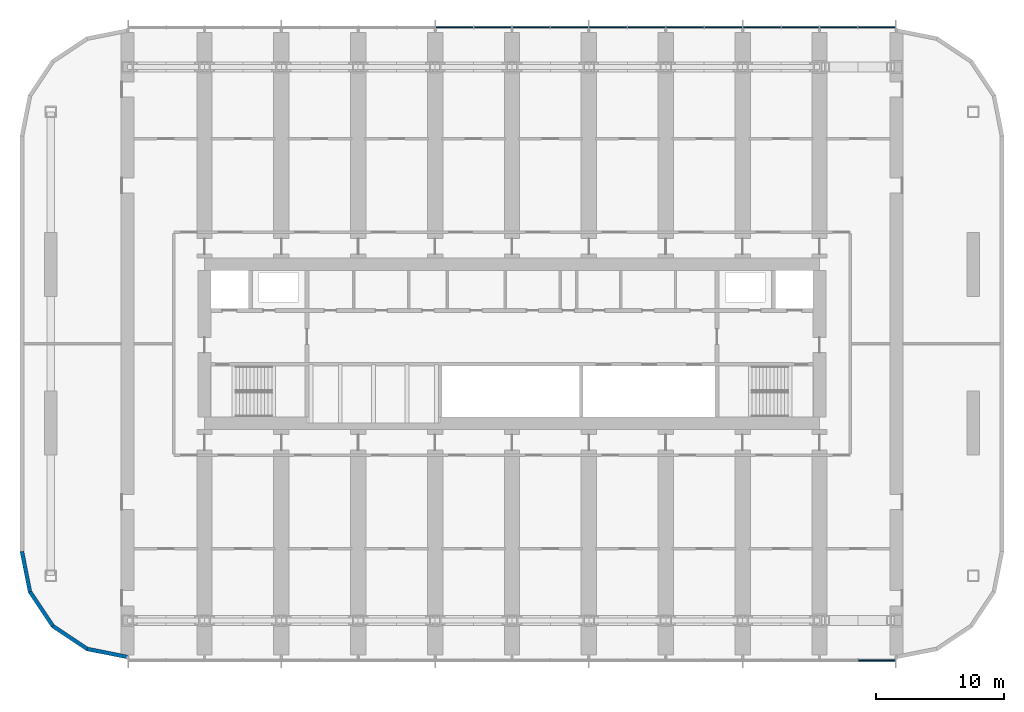
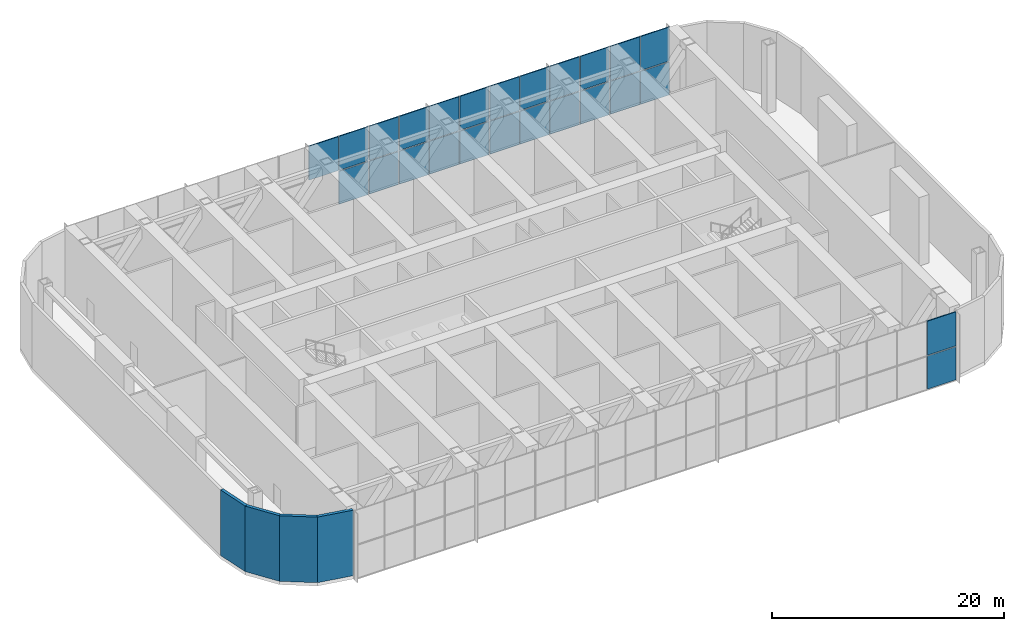
# One storey, part 9 of 24: 25 plates, 4 walls, 2 elements without a shape of their own.
"""IFC4 building model written with IfcOpenShell, lengths in metres."""

from ifc_helpers import new_model, si_unit, direction, frame, origin, origin_2d, place, context, subcontext, project, spatial, polyline, rectangle, outline, extrude, material, layer, layer_set, type_object, element, aggregate, save


model = new_model("IFC4")

# Units and contexts
model_context = context("Model", 3, precision=1e-05, world=origin(), true_north=direction((0.0, 1.0)))
body_context = subcontext(model_context, "Body", "Model", "MODEL_VIEW")
ifc_project = project(units=[si_unit("LENGTHUNIT", "METRE"), si_unit("AREAUNIT", "SQUARE_METRE"), si_unit("VOLUMEUNIT", "CUBIC_METRE"), si_unit("PLANEANGLEUNIT", "RADIAN"), si_unit("MASSUNIT", "GRAM", prefix="KILO")], contexts=[model_context])

# Site, building, storey
site_placement = place(None, origin())
site = spatial("IfcSite", under=ifc_project, at=site_placement, CompositionType="ELEMENT")
building_placement = place(site_placement, origin())
building = spatial("IfcBuilding", under=site, at=building_placement, Name="Orbita Commons", CompositionType="ELEMENT")
storey_placement = place(building_placement, frame((0.0, 0.0, 68.949951171875)))
storey = spatial("IfcBuildingStorey", under=building, at=storey_placement, Name="L17", CompositionType="ELEMENT", Elevation=68.949951171875)

# Curtain wall, plates
ifc_material_1 = material(Name="Anodised aluminium frame, pale silver", Category="aluminium")
curtain_wall_type = type_object("IfcCurtainWallType", Name="Louvred curtain wall CW-V", PredefinedType="NOTDEFINED", material=ifc_material_1)
curtain_wall_1_placement = place(storey_placement, origin())
curtain_wall_1 = element("IfcCurtainWall", 1, at=curtain_wall_1_placement, inside=storey, type_object=curtain_wall_type, Name="Curtain wall south L17", PredefinedType="NOTDEFINED")
ifc_material_2 = material(Name="Anodised aluminium louvre", Category="aluminium")
ifc_layer_1 = layer(ifc_material_2, 0.10009765625)
ifc_layer_set_1 = layer_set([ifc_layer_1], Name="Anodised aluminium louvre")
plate_type = type_object("IfcPlateType", Name="Aluminium louvre panel 100", PredefinedType="CURTAIN_PANEL", material=ifc_layer_set_1)
plate_1_placement = place(storey_placement, frame((70.47998046875, 7.2900390625, -0.25), z_axis=(0.0, 0.0, 1.0), x_axis=(1.0, 0.0, 0.0)))
plate_1 = element("IfcPlate", 2, at=plate_1_placement, type_object=plate_type, Name="Panel 20.1 CW-L17-S", PredefinedType="CURTAIN_PANEL", context=body_context, shape_type="SweptSolid", body=[
    extrude(rectangle(XDim=2.8798828125, YDim=0.10009765625, at=origin_2d()), origin(), (0.0, 0.0, 1.0), 3.47509765625),
])
plate_2_placement = place(storey_placement, frame((70.47998046875, 7.2900390625, 3.3251953125), z_axis=(0.0, 0.0, 1.0), x_axis=(1.0, 0.0, 0.0)))
plate_2 = element("IfcPlate", 3, at=plate_2_placement, type_object=plate_type, Name="Panel 20.2 CW-L17-S", PredefinedType="CURTAIN_PANEL", context=body_context, shape_type="SweptSolid", body=[
    extrude(rectangle(XDim=2.8798828125, YDim=0.10009765625, at=origin_2d()), origin(), (0.0, 0.0, 1.0), 3.574951171875),
])
aggregate(curtain_wall_1, [plate_1, plate_2])

curtain_wall_2_placement = place(storey_placement, origin())
curtain_wall_2 = element("IfcCurtainWall", 4, at=curtain_wall_2_placement, inside=storey, type_object=curtain_wall_type, Name="Curtain wall north L17", PredefinedType="NOTDEFINED")
plate_3_placement = place(storey_placement, frame((70.47998046875, 56.7099609375, -0.25), z_axis=(0.0, 0.0, 1.0), x_axis=(-1.0, 0.0, 0.0)))
plate_3 = element("IfcPlate", 5, at=plate_3_placement, type_object=plate_type, Name="Panel 1.1 CW-L17-N", PredefinedType="CURTAIN_PANEL", context=body_context, shape_type="SweptSolid", body=[
    extrude(rectangle(XDim=2.8798828125, YDim=0.10009765625, at=origin_2d()), origin(), (0.0, 0.0, 1.0), 3.47509765625),
])
plate_4_placement = place(storey_placement, frame((70.47998046875, 56.7099609375, 3.3251953125), z_axis=(0.0, 0.0, 1.0), x_axis=(-1.0, 0.0, 0.0)))
plate_4 = element("IfcPlate", 6, at=plate_4_placement, type_object=plate_type, Name="Panel 1.2 CW-L17-N", PredefinedType="CURTAIN_PANEL", context=body_context, shape_type="SweptSolid", body=[
    extrude(rectangle(XDim=2.8798828125, YDim=0.10009765625, at=origin_2d()), origin(), (0.0, 0.0, 1.0), 3.574951171875),
])
plate_5_placement = place(storey_placement, frame((67.5, 56.7099609375, -0.25), z_axis=(0.0, 0.0, 1.0), x_axis=(-1.0, 0.0, 0.0)))
plate_5 = element("IfcPlate", 7, at=plate_5_placement, type_object=plate_type, Name="Panel 2.1 CW-L17-N", PredefinedType="CURTAIN_PANEL", context=body_context, shape_type="SweptSolid", body=[
    extrude(rectangle(XDim=2.919921875, YDim=0.10009765625, at=origin_2d()), origin(), (0.0, 0.0, 1.0), 3.47509765625),
])
plate_6_placement = place(storey_placement, frame((67.5, 56.7099609375, 3.3251953125), z_axis=(0.0, 0.0, 1.0), x_axis=(-1.0, 0.0, 0.0)))
plate_6 = element("IfcPlate", 8, at=plate_6_placement, type_object=plate_type, Name="Panel 2.2 CW-L17-N", PredefinedType="CURTAIN_PANEL", context=body_context, shape_type="SweptSolid", body=[
    extrude(rectangle(XDim=2.919921875, YDim=0.10009765625, at=origin_2d()), origin(), (0.0, 0.0, 1.0), 3.574951171875),
])
plate_7_placement = place(storey_placement, frame((64.5, 56.7099609375, -0.25), z_axis=(0.0, 0.0, 1.0), x_axis=(-1.0, 0.0, 0.0)))
plate_7 = element("IfcPlate", 9, at=plate_7_placement, type_object=plate_type, Name="Panel 3.1 CW-L17-N", PredefinedType="CURTAIN_PANEL", context=body_context, shape_type="SweptSolid", body=[
    extrude(rectangle(XDim=2.919921875, YDim=0.10009765625, at=origin_2d()), origin(), (0.0, 0.0, 1.0), 3.47509765625),
])
plate_8_placement = place(storey_placement, frame((64.5, 56.7099609375, 3.3251953125), z_axis=(0.0, 0.0, 1.0), x_axis=(-1.0, 0.0, 0.0)))
plate_8 = element("IfcPlate", 10, at=plate_8_placement, type_object=plate_type, Name="Panel 3.2 CW-L17-N", PredefinedType="CURTAIN_PANEL", context=body_context, shape_type="SweptSolid", body=[
    extrude(rectangle(XDim=2.919921875, YDim=0.10009765625, at=origin_2d()), origin(), (0.0, 0.0, 1.0), 3.574951171875),
])
plate_9_placement = place(storey_placement, frame((61.5, 56.7099609375, -0.25), z_axis=(0.0, 0.0, 1.0), x_axis=(-1.0, 0.0, 0.0)))
plate_9 = element("IfcPlate", 11, at=plate_9_placement, type_object=plate_type, Name="Panel 4.1 CW-L17-N", PredefinedType="CURTAIN_PANEL", context=body_context, shape_type="SweptSolid", body=[
    extrude(rectangle(XDim=2.919921875, YDim=0.10009765625, at=origin_2d()), origin(), (0.0, 0.0, 1.0), 3.47509765625),
])
plate_10_placement = place(storey_placement, frame((61.5, 56.7099609375, 3.3251953125), z_axis=(0.0, 0.0, 1.0), x_axis=(-1.0, 0.0, 0.0)))
plate_10 = element("IfcPlate", 12, at=plate_10_placement, type_object=plate_type, Name="Panel 4.2 CW-L17-N", PredefinedType="CURTAIN_PANEL", context=body_context, shape_type="SweptSolid", body=[
    extrude(rectangle(XDim=2.919921875, YDim=0.10009765625, at=origin_2d()), origin(), (0.0, 0.0, 1.0), 3.574951171875),
])
plate_11_placement = place(storey_placement, frame((58.5, 56.7099609375, -0.25), z_axis=(0.0, 0.0, 1.0), x_axis=(-1.0, 0.0, 0.0)))
plate_11 = element("IfcPlate", 13, at=plate_11_placement, type_object=plate_type, Name="Panel 5.1 CW-L17-N", PredefinedType="CURTAIN_PANEL", context=body_context, shape_type="SweptSolid", body=[
    extrude(rectangle(XDim=2.919921875, YDim=0.10009765625, at=origin_2d()), origin(), (0.0, 0.0, 1.0), 3.47509765625),
])
plate_12_placement = place(storey_placement, frame((58.5, 56.7099609375, 3.3251953125), z_axis=(0.0, 0.0, 1.0), x_axis=(-1.0, 0.0, 0.0)))
plate_12 = element("IfcPlate", 14, at=plate_12_placement, type_object=plate_type, Name="Panel 5.2 CW-L17-N", PredefinedType="CURTAIN_PANEL", context=body_context, shape_type="SweptSolid", body=[
    extrude(rectangle(XDim=2.919921875, YDim=0.10009765625, at=origin_2d()), origin(), (0.0, 0.0, 1.0), 3.574951171875),
])
plate_13_placement = place(storey_placement, frame((55.5, 56.7099609375, -0.25), z_axis=(0.0, 0.0, 1.0), x_axis=(-1.0, 0.0, 0.0)))
plate_13 = element("IfcPlate", 15, at=plate_13_placement, type_object=plate_type, Name="Panel 6.1 CW-L17-N", PredefinedType="CURTAIN_PANEL", context=body_context, shape_type="SweptSolid", body=[
    extrude(rectangle(XDim=2.919921875, YDim=0.10009765625, at=origin_2d()), origin(), (0.0, 0.0, 1.0), 3.47509765625),
])
plate_14_placement = place(storey_placement, frame((55.5, 56.7099609375, 3.3251953125), z_axis=(0.0, 0.0, 1.0), x_axis=(-1.0, 0.0, 0.0)))
plate_14 = element("IfcPlate", 16, at=plate_14_placement, type_object=plate_type, Name="Panel 6.2 CW-L17-N", PredefinedType="CURTAIN_PANEL", context=body_context, shape_type="SweptSolid", body=[
    extrude(rectangle(XDim=2.919921875, YDim=0.10009765625, at=origin_2d()), origin(), (0.0, 0.0, 1.0), 3.574951171875),
])
plate_15_placement = place(storey_placement, frame((52.5, 56.7099609375, -0.25), z_axis=(0.0, 0.0, 1.0), x_axis=(-1.0, 0.0, 0.0)))
plate_15 = element("IfcPlate", 17, at=plate_15_placement, type_object=plate_type, Name="Panel 7.1 CW-L17-N", PredefinedType="CURTAIN_PANEL", context=body_context, shape_type="SweptSolid", body=[
    extrude(rectangle(XDim=2.919921875, YDim=0.10009765625, at=origin_2d()), origin(), (0.0, 0.0, 1.0), 3.47509765625),
])
plate_16_placement = place(storey_placement, frame((52.5, 56.7099609375, 3.3251953125), z_axis=(0.0, 0.0, 1.0), x_axis=(-1.0, 0.0, 0.0)))
plate_16 = element("IfcPlate", 18, at=plate_16_placement, type_object=plate_type, Name="Panel 7.2 CW-L17-N", PredefinedType="CURTAIN_PANEL", context=body_context, shape_type="SweptSolid", body=[
    extrude(rectangle(XDim=2.919921875, YDim=0.10009765625, at=origin_2d()), origin(), (0.0, 0.0, 1.0), 3.574951171875),
])
plate_17_placement = place(storey_placement, frame((49.5, 56.7099609375, -0.25), z_axis=(0.0, 0.0, 1.0), x_axis=(-1.0, 0.0, 0.0)))
plate_17 = element("IfcPlate", 19, at=plate_17_placement, type_object=plate_type, Name="Panel 8.1 CW-L17-N", PredefinedType="CURTAIN_PANEL", context=body_context, shape_type="SweptSolid", body=[
    extrude(rectangle(XDim=2.919921875, YDim=0.10009765625, at=origin_2d()), origin(), (0.0, 0.0, 1.0), 3.47509765625),
])
plate_18_placement = place(storey_placement, frame((49.5, 56.7099609375, 3.3251953125), z_axis=(0.0, 0.0, 1.0), x_axis=(-1.0, 0.0, 0.0)))
plate_18 = element("IfcPlate", 20, at=plate_18_placement, type_object=plate_type, Name="Panel 8.2 CW-L17-N", PredefinedType="CURTAIN_PANEL", context=body_context, shape_type="SweptSolid", body=[
    extrude(rectangle(XDim=2.919921875, YDim=0.10009765625, at=origin_2d()), origin(), (0.0, 0.0, 1.0), 3.574951171875),
])
plate_19_placement = place(storey_placement, frame((46.5, 56.7099609375, -0.25), z_axis=(0.0, 0.0, 1.0), x_axis=(-1.0, 0.0, 0.0)))
plate_19 = element("IfcPlate", 21, at=plate_19_placement, type_object=plate_type, Name="Panel 9.1 CW-L17-N", PredefinedType="CURTAIN_PANEL", context=body_context, shape_type="SweptSolid", body=[
    extrude(rectangle(XDim=2.919921875, YDim=0.10009765625, at=origin_2d()), origin(), (0.0, 0.0, 1.0), 3.47509765625),
])
plate_20_placement = place(storey_placement, frame((46.5, 56.7099609375, 3.3251953125), z_axis=(0.0, 0.0, 1.0), x_axis=(-1.0, 0.0, 0.0)))
plate_20 = element("IfcPlate", 22, at=plate_20_placement, type_object=plate_type, Name="Panel 9.2 CW-L17-N", PredefinedType="CURTAIN_PANEL", context=body_context, shape_type="SweptSolid", body=[
    extrude(rectangle(XDim=2.919921875, YDim=0.10009765625, at=origin_2d()), origin(), (0.0, 0.0, 1.0), 3.574951171875),
])
plate_21_placement = place(storey_placement, frame((43.5, 56.7099609375, -0.25), z_axis=(0.0, 0.0, 1.0), x_axis=(-1.0, 0.0, 0.0)))
plate_21 = element("IfcPlate", 23, at=plate_21_placement, type_object=plate_type, Name="Panel 10.1 CW-L17-N", PredefinedType="CURTAIN_PANEL", context=body_context, shape_type="SweptSolid", body=[
    extrude(rectangle(XDim=2.919921875, YDim=0.10009765625, at=origin_2d()), origin(), (0.0, 0.0, 1.0), 3.47509765625),
])
plate_22_placement = place(storey_placement, frame((43.5, 56.7099609375, 3.3251953125), z_axis=(0.0, 0.0, 1.0), x_axis=(-1.0, 0.0, 0.0)))
plate_22 = element("IfcPlate", 24, at=plate_22_placement, type_object=plate_type, Name="Panel 10.2 CW-L17-N", PredefinedType="CURTAIN_PANEL", context=body_context, shape_type="SweptSolid", body=[
    extrude(rectangle(XDim=2.919921875, YDim=0.10009765625, at=origin_2d()), origin(), (0.0, 0.0, 1.0), 3.574951171875),
])
plate_23_placement = place(storey_placement, frame((40.5, 56.7099609375, -0.25), z_axis=(0.0, 0.0, 1.0), x_axis=(-1.0, 0.0, 0.0)))
plate_23 = element("IfcPlate", 25, at=plate_23_placement, type_object=plate_type, Name="Panel 11.1 CW-L17-N", PredefinedType="CURTAIN_PANEL", context=body_context, shape_type="SweptSolid", body=[
    extrude(rectangle(XDim=2.919921875, YDim=0.10009765625, at=origin_2d()), origin(), (0.0, 0.0, 1.0), 3.47509765625),
])
plate_24_placement = place(storey_placement, frame((40.5, 56.7099609375, 3.3251953125), z_axis=(0.0, 0.0, 1.0), x_axis=(-1.0, 0.0, 0.0)))
plate_24 = element("IfcPlate", 26, at=plate_24_placement, type_object=plate_type, Name="Panel 11.2 CW-L17-N", PredefinedType="CURTAIN_PANEL", context=body_context, shape_type="SweptSolid", body=[
    extrude(rectangle(XDim=2.919921875, YDim=0.10009765625, at=origin_2d()), origin(), (0.0, 0.0, 1.0), 3.574951171875),
])
plate_25_placement = place(storey_placement, frame((37.5, 56.7099609375, 3.3251953125), z_axis=(0.0, 0.0, 1.0), x_axis=(-1.0, 0.0, 0.0)))
plate_25 = element("IfcPlate", 27, at=plate_25_placement, type_object=plate_type, Name="Panel 12.2 CW-L17-N", PredefinedType="CURTAIN_PANEL", context=body_context, shape_type="SweptSolid", body=[
    extrude(rectangle(XDim=2.919921875, YDim=0.10009765625, at=origin_2d()), origin(), (0.0, 0.0, 1.0), 3.574951171875),
])
aggregate(curtain_wall_2, [plate_3, plate_4, plate_5, plate_6, plate_7, plate_8, plate_9, plate_10, plate_11, plate_12, plate_13, plate_14, plate_15, plate_16, plate_17, plate_18, plate_19, plate_20, plate_21, plate_22, plate_23, plate_24, plate_25])

# Walls
ifc_material_3 = material(Name="Precast concrete C40/50, white board-marked finish", Category="concrete")
ifc_layer_2 = layer(ifc_material_3, 0.300048828125)
ifc_layer_set_2 = layer_set([ifc_layer_2], Name="Precast concrete C40/50, white board-marked finish")
wall_type = type_object("IfcWallType", Name="Precast concrete end shield 300", PredefinedType="SOLIDWALL", material=ifc_layer_set_2)
wall_1_placement = place(storey_placement, frame((3.75, 15.800048828125, 0.0), z_axis=(0.0, 0.0, 1.0), x_axis=(0.195065901187, -0.980790137692, 0.0)))
element("IfcWall", 28, at=wall_1_placement, inside=storey, type_object=wall_type, Name="End shield SW chord 1 L17", PredefinedType="SOLIDWALL", context=body_context, shape_type="SweptSolid", body=[
    extrude(outline(polyline([(-0.014892578125, -0.14990234375), (3.248779296875, -0.14990234375), (3.189208984375, 0.14990234375), (0.014892578125, 0.14990234375), (-0.014892578125, -0.14990234375)])), origin(), (0.0, 0.0, 1.0), 6.900146484375),
])
wall_2_placement = place(storey_placement, frame((4.3779296875, 12.642822265625, 0.0), z_axis=(0.0, 0.0, 1.0), x_axis=(0.555609954424, -0.831443069936, 0.0)))
element("IfcWall", 29, at=wall_2_placement, inside=storey, type_object=wall_type, Name="End shield SW chord 2 L17", PredefinedType="SOLIDWALL", context=body_context, shape_type="SweptSolid", body=[
    extrude(outline(polyline([(-0.02978515625, -0.14990234375), (3.2490234375, -0.14990234375), (3.189453125, 0.14990234375), (0.02978515625, 0.14990234375), (-0.02978515625, -0.14990234375)])), origin(), (0.0, 0.0, 1.0), 6.900146484375),
])
wall_3_placement = place(storey_placement, frame((6.16650390625, 9.96630859375, 0.0), z_axis=(0.0, 0.0, 1.0), x_axis=(0.831478105043, -0.555557522525, 0.0)))
element("IfcWall", 30, at=wall_3_placement, inside=storey, type_object=wall_type, Name="End shield SW chord 3 L17", PredefinedType="SOLIDWALL", context=body_context, shape_type="SweptSolid", body=[
    extrude(outline(polyline([(-0.02978515625, -0.14990234375), (3.248779296875, -0.14990234375), (3.189208984375, 0.14990234375), (0.02978515625, 0.14990234375), (-0.02978515625, -0.14990234375)])), origin(), (0.0, 0.0, 1.0), 6.900146484375),
])
wall_4_placement = place(storey_placement, frame((8.843017578125, 8.177978515625, 0.0), z_axis=(0.0, 0.0, 1.0), x_axis=(0.980787251524, -0.195080412259, 0.0)))
element("IfcWall", 31, at=wall_4_placement, inside=storey, type_object=wall_type, Name="End shield SW chord 4 L17", PredefinedType="SOLIDWALL", context=body_context, shape_type="SweptSolid", body=[
    extrude(outline(polyline([(-0.02978515625, -0.14990234375), (3.24853515625, -0.14990234375), (3.18896484375, 0.14990234375), (0.02978515625, 0.14990234375), (-0.02978515625, -0.14990234375)])), origin(), (0.0, 0.0, 1.0), 6.900146484375),
])

save(model, "model.ifc")
